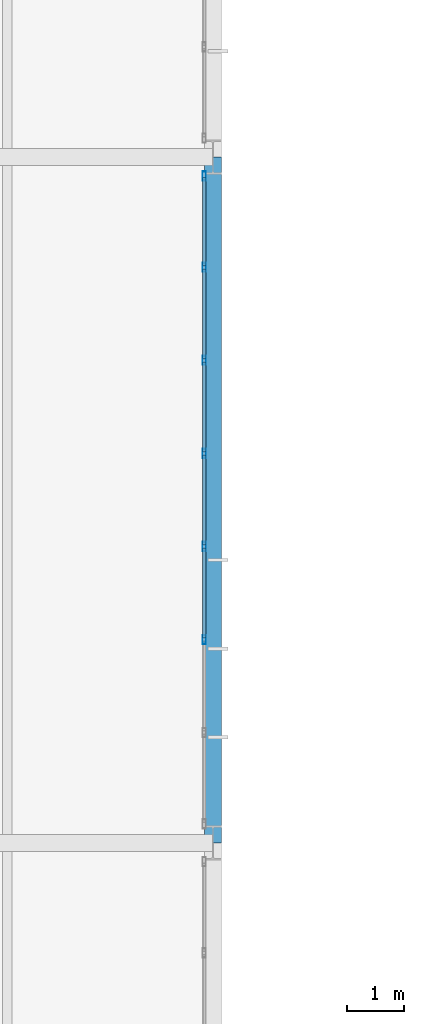
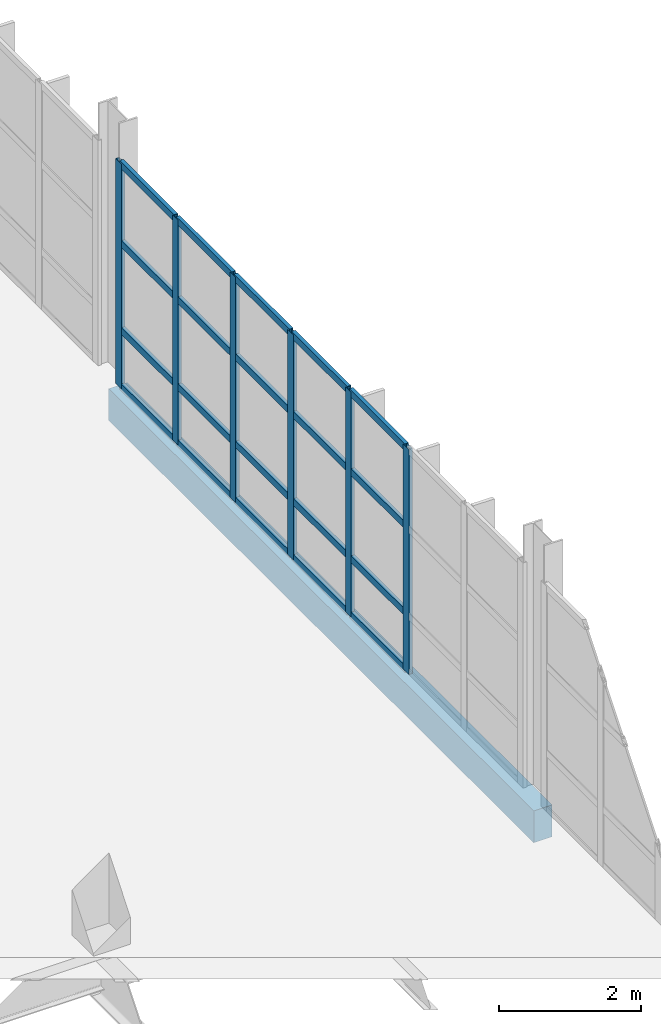
# One storey, part 96 of 130: 26 members, 1 beam, 1 element without a shape of its own.
"""IFC4 building model written with IfcOpenShell, lengths in metres."""

from ifc_helpers import new_model, si_unit, direction, frame, origin, origin_2d, place, context, subcontext, project, spatial, rectangle, hollow_rectangle, extrude, material, material_profile, profile_set, type_object, element, aggregate, save


model = new_model("IFC4")

# Units and contexts
model_context = context("Model", 3, precision=1e-05, world=origin(), true_north=direction((0.0, 1.0)))
body_context = subcontext(model_context, "Body", "Model", "MODEL_VIEW")
ifc_project = project(units=[si_unit("LENGTHUNIT", "METRE"), si_unit("AREAUNIT", "SQUARE_METRE"), si_unit("VOLUMEUNIT", "CUBIC_METRE"), si_unit("PLANEANGLEUNIT", "RADIAN"), si_unit("MASSUNIT", "GRAM", prefix="KILO")], contexts=[model_context])

# Site, building, storey
site_placement = place(None, origin())
site = spatial("IfcSite", under=ifc_project, at=site_placement, CompositionType="ELEMENT")
building_placement = place(site_placement, origin())
building = spatial("IfcBuilding", under=site, at=building_placement, Name="Veltarok Museum of Natural Sciences", CompositionType="ELEMENT")
storey_placement = place(building_placement, frame((0.0, 0.0, 12.89990234375)))
storey = spatial("IfcBuildingStorey", under=building, at=storey_placement, Name="L02", CompositionType="ELEMENT", Elevation=12.89990234375)

# Curtain wall, members
ifc_material_1 = material(Name="Low-iron triple insulated glass", Category="glass")
curtain_wall_type = type_object("IfcCurtainWallType", Name="Curtain Wall System CW-V5E-L02-F-1140x388 (V5 East Lab L02 F-G 1140x388cm)", PredefinedType="NOTDEFINED", material=ifc_material_1)
curtain_wall_placement = place(storey_placement, origin())
curtain_wall = element("IfcCurtainWall", 1, at=curtain_wall_placement, inside=storey, type_object=curtain_wall_type, Name="Curtain Wall CW-V5E-L02-F-1140x388 CW-0113", PredefinedType="NOTDEFINED")
ifc_material_2 = material(Name="Thermally broken anodised aluminium", Category="aluminium")
ifc_material_profile_1 = material_profile(ifc_material_2, hollow_rectangle(XDim=0.06005859375, YDim=0.1201171875, WallThickness=0.0048828125, at=origin_2d()), Name="CW TRANSOM 60x120x5")
ifc_profile_set_1 = profile_set([ifc_material_profile_1], Name="Thermally broken anodised aluminium")
member_type_1 = type_object("IfcMemberType", Name="Curtain Wall Horizontal Transom 60x120x5", PredefinedType="USERDEFINED", material=ifc_profile_set_1)
member_1_placement = place(storey_placement, frame((164.64990234375, 51.587158203125, 0.030029296875), z_axis=(0.0, 1.0, 0.0), x_axis=(-1.0, 0.0, 0.0)))
member_1 = element("IfcMember", 2, at=member_1_placement, type_object=member_type_1, Name="CW-V5E-L02-F-1140x388 transom 3.1", ObjectType="TRANSOM", PredefinedType="USERDEFINED", context=body_context, shape_type="SweptSolid", body=[
    extrude(hollow_rectangle(XDim=0.06005859375, YDim=0.1201171875, WallThickness=0.0048828125, at=origin_2d()), origin(), (0.0, 0.0, 1.0), 1.568603515625),
])
member_2_placement = place(storey_placement, frame((164.64990234375, 51.587158203125, 1.0), z_axis=(0.0, 1.0, 0.0), x_axis=(-1.0, 0.0, 0.0)))
member_2 = element("IfcMember", 3, at=member_2_placement, type_object=member_type_1, Name="CW-V5E-L02-F-1140x388 transom 3.2", ObjectType="TRANSOM", PredefinedType="USERDEFINED", context=body_context, shape_type="SweptSolid", body=[
    extrude(hollow_rectangle(XDim=0.06005859375, YDim=0.1201171875, WallThickness=0.0048828125, at=origin_2d()), origin(), (0.0, 0.0, 1.0), 1.568603515625),
])
member_3_placement = place(storey_placement, frame((164.64990234375, 51.587158203125, 2.5), z_axis=(0.0, 1.0, 0.0), x_axis=(-1.0, 0.0, 0.0)))
member_3 = element("IfcMember", 4, at=member_3_placement, type_object=member_type_1, Name="CW-V5E-L02-F-1140x388 transom 3.3", ObjectType="TRANSOM", PredefinedType="USERDEFINED", context=body_context, shape_type="SweptSolid", body=[
    extrude(hollow_rectangle(XDim=0.06005859375, YDim=0.1201171875, WallThickness=0.0048828125, at=origin_2d()), origin(), (0.0, 0.0, 1.0), 1.568603515625),
])
member_4_placement = place(storey_placement, frame((164.64990234375, 51.587158203125, 3.85009765625), z_axis=(0.0, 1.0, 0.0), x_axis=(-1.0, 0.0, 0.0)))
member_4 = element("IfcMember", 5, at=member_4_placement, type_object=member_type_1, Name="CW-V5E-L02-F-1140x388 transom 3.4", ObjectType="TRANSOM", PredefinedType="USERDEFINED", context=body_context, shape_type="SweptSolid", body=[
    extrude(hollow_rectangle(XDim=0.06005859375, YDim=0.1201171875, WallThickness=0.0048828125, at=origin_2d()), origin(), (0.0, 0.0, 1.0), 1.568603515625),
])
member_5_placement = place(storey_placement, frame((164.64990234375, 53.2158203125, 0.030029296875), z_axis=(0.0, 1.0, 0.0), x_axis=(-1.0, 0.0, 0.0)))
member_5 = element("IfcMember", 6, at=member_5_placement, type_object=member_type_1, Name="CW-V5E-L02-F-1140x388 transom 4.1", ObjectType="TRANSOM", PredefinedType="USERDEFINED", context=body_context, shape_type="SweptSolid", body=[
    extrude(hollow_rectangle(XDim=0.06005859375, YDim=0.1201171875, WallThickness=0.0048828125, at=origin_2d()), origin(), (0.0, 0.0, 1.0), 1.568359375),
])
member_6_placement = place(storey_placement, frame((164.64990234375, 53.2158203125, 1.0), z_axis=(0.0, 1.0, 0.0), x_axis=(-1.0, 0.0, 0.0)))
member_6 = element("IfcMember", 7, at=member_6_placement, type_object=member_type_1, Name="CW-V5E-L02-F-1140x388 transom 4.2", ObjectType="TRANSOM", PredefinedType="USERDEFINED", context=body_context, shape_type="SweptSolid", body=[
    extrude(hollow_rectangle(XDim=0.06005859375, YDim=0.1201171875, WallThickness=0.0048828125, at=origin_2d()), origin(), (0.0, 0.0, 1.0), 1.568359375),
])
member_7_placement = place(storey_placement, frame((164.64990234375, 53.2158203125, 2.5), z_axis=(0.0, 1.0, 0.0), x_axis=(-1.0, 0.0, 0.0)))
member_7 = element("IfcMember", 8, at=member_7_placement, type_object=member_type_1, Name="CW-V5E-L02-F-1140x388 transom 4.3", ObjectType="TRANSOM", PredefinedType="USERDEFINED", context=body_context, shape_type="SweptSolid", body=[
    extrude(hollow_rectangle(XDim=0.06005859375, YDim=0.1201171875, WallThickness=0.0048828125, at=origin_2d()), origin(), (0.0, 0.0, 1.0), 1.568359375),
])
member_8_placement = place(storey_placement, frame((164.64990234375, 53.2158203125, 3.85009765625), z_axis=(0.0, 1.0, 0.0), x_axis=(-1.0, 0.0, 0.0)))
member_8 = element("IfcMember", 9, at=member_8_placement, type_object=member_type_1, Name="CW-V5E-L02-F-1140x388 transom 4.4", ObjectType="TRANSOM", PredefinedType="USERDEFINED", context=body_context, shape_type="SweptSolid", body=[
    extrude(hollow_rectangle(XDim=0.06005859375, YDim=0.1201171875, WallThickness=0.0048828125, at=origin_2d()), origin(), (0.0, 0.0, 1.0), 1.568359375),
])
member_9_placement = place(storey_placement, frame((164.64990234375, 54.84423828125, 0.030029296875), z_axis=(0.0, 1.0, 0.0), x_axis=(-1.0, 0.0, 0.0)))
member_9 = element("IfcMember", 10, at=member_9_placement, type_object=member_type_1, Name="CW-V5E-L02-F-1140x388 transom 5.1", ObjectType="TRANSOM", PredefinedType="USERDEFINED", context=body_context, shape_type="SweptSolid", body=[
    extrude(hollow_rectangle(XDim=0.06005859375, YDim=0.1201171875, WallThickness=0.0048828125, at=origin_2d()), origin(), (0.0, 0.0, 1.0), 1.568603515625),
])
member_10_placement = place(storey_placement, frame((164.64990234375, 54.84423828125, 1.0), z_axis=(0.0, 1.0, 0.0), x_axis=(-1.0, 0.0, 0.0)))
member_10 = element("IfcMember", 11, at=member_10_placement, type_object=member_type_1, Name="CW-V5E-L02-F-1140x388 transom 5.2", ObjectType="TRANSOM", PredefinedType="USERDEFINED", context=body_context, shape_type="SweptSolid", body=[
    extrude(hollow_rectangle(XDim=0.06005859375, YDim=0.1201171875, WallThickness=0.0048828125, at=origin_2d()), origin(), (0.0, 0.0, 1.0), 1.568603515625),
])
member_11_placement = place(storey_placement, frame((164.64990234375, 54.84423828125, 2.5), z_axis=(0.0, 1.0, 0.0), x_axis=(-1.0, 0.0, 0.0)))
member_11 = element("IfcMember", 12, at=member_11_placement, type_object=member_type_1, Name="CW-V5E-L02-F-1140x388 transom 5.3", ObjectType="TRANSOM", PredefinedType="USERDEFINED", context=body_context, shape_type="SweptSolid", body=[
    extrude(hollow_rectangle(XDim=0.06005859375, YDim=0.1201171875, WallThickness=0.0048828125, at=origin_2d()), origin(), (0.0, 0.0, 1.0), 1.568603515625),
])
member_12_placement = place(storey_placement, frame((164.64990234375, 54.84423828125, 3.85009765625), z_axis=(0.0, 1.0, 0.0), x_axis=(-1.0, 0.0, 0.0)))
member_12 = element("IfcMember", 13, at=member_12_placement, type_object=member_type_1, Name="CW-V5E-L02-F-1140x388 transom 5.4", ObjectType="TRANSOM", PredefinedType="USERDEFINED", context=body_context, shape_type="SweptSolid", body=[
    extrude(hollow_rectangle(XDim=0.06005859375, YDim=0.1201171875, WallThickness=0.0048828125, at=origin_2d()), origin(), (0.0, 0.0, 1.0), 1.568603515625),
])
member_13_placement = place(storey_placement, frame((164.64990234375, 56.472900390625, 0.030029296875), z_axis=(0.0, 1.0, 0.0), x_axis=(-1.0, 0.0, 0.0)))
member_13 = element("IfcMember", 14, at=member_13_placement, type_object=member_type_1, Name="CW-V5E-L02-F-1140x388 transom 6.1", ObjectType="TRANSOM", PredefinedType="USERDEFINED", context=body_context, shape_type="SweptSolid", body=[
    extrude(hollow_rectangle(XDim=0.06005859375, YDim=0.1201171875, WallThickness=0.0048828125, at=origin_2d()), origin(), (0.0, 0.0, 1.0), 1.568603515625),
])
member_14_placement = place(storey_placement, frame((164.64990234375, 56.472900390625, 1.0), z_axis=(0.0, 1.0, 0.0), x_axis=(-1.0, 0.0, 0.0)))
member_14 = element("IfcMember", 15, at=member_14_placement, type_object=member_type_1, Name="CW-V5E-L02-F-1140x388 transom 6.2", ObjectType="TRANSOM", PredefinedType="USERDEFINED", context=body_context, shape_type="SweptSolid", body=[
    extrude(hollow_rectangle(XDim=0.06005859375, YDim=0.1201171875, WallThickness=0.0048828125, at=origin_2d()), origin(), (0.0, 0.0, 1.0), 1.568603515625),
])
member_15_placement = place(storey_placement, frame((164.64990234375, 56.472900390625, 2.5), z_axis=(0.0, 1.0, 0.0), x_axis=(-1.0, 0.0, 0.0)))
member_15 = element("IfcMember", 16, at=member_15_placement, type_object=member_type_1, Name="CW-V5E-L02-F-1140x388 transom 6.3", ObjectType="TRANSOM", PredefinedType="USERDEFINED", context=body_context, shape_type="SweptSolid", body=[
    extrude(hollow_rectangle(XDim=0.06005859375, YDim=0.1201171875, WallThickness=0.0048828125, at=origin_2d()), origin(), (0.0, 0.0, 1.0), 1.568603515625),
])
member_16_placement = place(storey_placement, frame((164.64990234375, 56.472900390625, 3.85009765625), z_axis=(0.0, 1.0, 0.0), x_axis=(-1.0, 0.0, 0.0)))
member_16 = element("IfcMember", 17, at=member_16_placement, type_object=member_type_1, Name="CW-V5E-L02-F-1140x388 transom 6.4", ObjectType="TRANSOM", PredefinedType="USERDEFINED", context=body_context, shape_type="SweptSolid", body=[
    extrude(hollow_rectangle(XDim=0.06005859375, YDim=0.1201171875, WallThickness=0.0048828125, at=origin_2d()), origin(), (0.0, 0.0, 1.0), 1.568603515625),
])
member_17_placement = place(storey_placement, frame((164.64990234375, 58.101318359375, 0.030029296875), z_axis=(0.0, 1.0, 0.0), x_axis=(-1.0, 0.0, 0.0)))
member_17 = element("IfcMember", 18, at=member_17_placement, type_object=member_type_1, Name="CW-V5E-L02-F-1140x388 transom 7.1", ObjectType="TRANSOM", PredefinedType="USERDEFINED", context=body_context, shape_type="SweptSolid", body=[
    extrude(hollow_rectangle(XDim=0.06005859375, YDim=0.1201171875, WallThickness=0.0048828125, at=origin_2d()), origin(), (0.0, 0.0, 1.0), 1.53857421875),
])
member_18_placement = place(storey_placement, frame((164.64990234375, 58.101318359375, 1.0), z_axis=(0.0, 1.0, 0.0), x_axis=(-1.0, 0.0, 0.0)))
member_18 = element("IfcMember", 19, at=member_18_placement, type_object=member_type_1, Name="CW-V5E-L02-F-1140x388 transom 7.2", ObjectType="TRANSOM", PredefinedType="USERDEFINED", context=body_context, shape_type="SweptSolid", body=[
    extrude(hollow_rectangle(XDim=0.06005859375, YDim=0.1201171875, WallThickness=0.0048828125, at=origin_2d()), origin(), (0.0, 0.0, 1.0), 1.53857421875),
])
member_19_placement = place(storey_placement, frame((164.64990234375, 58.101318359375, 2.5), z_axis=(0.0, 1.0, 0.0), x_axis=(-1.0, 0.0, 0.0)))
member_19 = element("IfcMember", 20, at=member_19_placement, type_object=member_type_1, Name="CW-V5E-L02-F-1140x388 transom 7.3", ObjectType="TRANSOM", PredefinedType="USERDEFINED", context=body_context, shape_type="SweptSolid", body=[
    extrude(hollow_rectangle(XDim=0.06005859375, YDim=0.1201171875, WallThickness=0.0048828125, at=origin_2d()), origin(), (0.0, 0.0, 1.0), 1.53857421875),
])
member_20_placement = place(storey_placement, frame((164.64990234375, 58.101318359375, 3.85009765625), z_axis=(0.0, 1.0, 0.0), x_axis=(-1.0, 0.0, 0.0)))
member_20 = element("IfcMember", 21, at=member_20_placement, type_object=member_type_1, Name="CW-V5E-L02-F-1140x388 transom 7.4", ObjectType="TRANSOM", PredefinedType="USERDEFINED", context=body_context, shape_type="SweptSolid", body=[
    extrude(hollow_rectangle(XDim=0.06005859375, YDim=0.1201171875, WallThickness=0.0048828125, at=origin_2d()), origin(), (0.0, 0.0, 1.0), 1.53857421875),
])
ifc_material_profile_2 = material_profile(ifc_material_2, hollow_rectangle(XDim=0.06005859375, YDim=0.159912109375, WallThickness=0.0048828125, at=origin_2d()), Name="CW MULLION 60x160x5")
ifc_profile_set_2 = profile_set([ifc_material_profile_2], Name="Thermally broken anodised aluminium")
member_type_2 = type_object("IfcMemberType", Name="Curtain Wall Vertical Mullion 60x160x5", PredefinedType="MULLION", material=ifc_profile_set_2)
member_21_placement = place(storey_placement, frame((164.64990234375, 51.55712890625, 0.0), z_axis=(0.0, 0.0, 1.0), x_axis=(-1.0, 0.0, 0.0)))
member_21 = element("IfcMember", 22, at=member_21_placement, type_object=member_type_2, Name="CW-V5E-L02-F-1140x388 mullion 3", PredefinedType="MULLION", context=body_context, shape_type="SweptSolid", body=[
    extrude(hollow_rectangle(XDim=0.06005859375, YDim=0.159912109375, WallThickness=0.0048828125, at=origin_2d()), origin(), (0.0, 0.0, 1.0), 3.880126953125),
])
member_22_placement = place(storey_placement, frame((164.64990234375, 53.185791015625, 0.0), z_axis=(0.0, 0.0, 1.0), x_axis=(-1.0, 0.0, 0.0)))
member_22 = element("IfcMember", 23, at=member_22_placement, type_object=member_type_2, Name="CW-V5E-L02-F-1140x388 mullion 4", PredefinedType="MULLION", context=body_context, shape_type="SweptSolid", body=[
    extrude(hollow_rectangle(XDim=0.06005859375, YDim=0.159912109375, WallThickness=0.0048828125, at=origin_2d()), origin(), (0.0, 0.0, 1.0), 3.880126953125),
])
member_23_placement = place(storey_placement, frame((164.64990234375, 54.814208984375, 0.0), z_axis=(0.0, 0.0, 1.0), x_axis=(-1.0, 0.0, 0.0)))
member_23 = element("IfcMember", 24, at=member_23_placement, type_object=member_type_2, Name="CW-V5E-L02-F-1140x388 mullion 5", PredefinedType="MULLION", context=body_context, shape_type="SweptSolid", body=[
    extrude(hollow_rectangle(XDim=0.06005859375, YDim=0.159912109375, WallThickness=0.0048828125, at=origin_2d()), origin(), (0.0, 0.0, 1.0), 3.880126953125),
])
member_24_placement = place(storey_placement, frame((164.64990234375, 56.44287109375, 0.0), z_axis=(0.0, 0.0, 1.0), x_axis=(-1.0, 0.0, 0.0)))
member_24 = element("IfcMember", 25, at=member_24_placement, type_object=member_type_2, Name="CW-V5E-L02-F-1140x388 mullion 6", PredefinedType="MULLION", context=body_context, shape_type="SweptSolid", body=[
    extrude(hollow_rectangle(XDim=0.06005859375, YDim=0.159912109375, WallThickness=0.0048828125, at=origin_2d()), origin(), (0.0, 0.0, 1.0), 3.880126953125),
])
member_25_placement = place(storey_placement, frame((164.64990234375, 58.071533203125, 0.0), z_axis=(0.0, 0.0, 1.0), x_axis=(-1.0, 0.0, 0.0)))
member_25 = element("IfcMember", 26, at=member_25_placement, type_object=member_type_2, Name="CW-V5E-L02-F-1140x388 mullion 7", PredefinedType="MULLION", context=body_context, shape_type="SweptSolid", body=[
    extrude(hollow_rectangle(XDim=0.06005859375, YDim=0.159912109375, WallThickness=0.0048828125, at=origin_2d()), origin(), (0.0, 0.0, 1.0), 3.880126953125),
])
member_26_placement = place(storey_placement, frame((164.64990234375, 59.669921875, 0.0), z_axis=(0.0, 0.0, 1.0), x_axis=(-1.0, 0.0, 0.0)))
member_26 = element("IfcMember", 27, at=member_26_placement, type_object=member_type_2, Name="CW-V5E-L02-F-1140x388 mullion 8", PredefinedType="MULLION", context=body_context, shape_type="SweptSolid", body=[
    extrude(hollow_rectangle(XDim=0.06005859375, YDim=0.159912109375, WallThickness=0.0048828125, at=origin_2d()), origin(), (0.0, 0.0, 1.0), 3.880126953125),
])
aggregate(curtain_wall, [member_21, member_22, member_23, member_24, member_25, member_26, member_1, member_2, member_3, member_4, member_5, member_6, member_7, member_8, member_9, member_10, member_11, member_12, member_13, member_14, member_15, member_16, member_17, member_18, member_19, member_20])

# Beam
ifc_material_3 = material(Name="Precast concrete C40/50", Category="concrete")
ifc_material_profile_3 = material_profile(ifc_material_3, rectangle(XDim=0.300048828125, YDim=0.550048828125, at=origin_2d()), Name="RC 300x550")
ifc_profile_set_3 = profile_set([ifc_material_profile_3], Name="Precast concrete C40/50")
beam_type = type_object("IfcBeamType", Name="East Wing Precast Spandrel RC 300x550", PredefinedType="SPANDREL", material=ifc_profile_set_3)
beam_placement = place(storey_placement, frame((164.800048828125, 48.0, -0.52490234375), z_axis=(0.0, 1.0, 0.0), x_axis=(-1.0, 0.0, 0.0)))
element("IfcBeam", 28, at=beam_placement, inside=storey, type_object=beam_type, Name="Beam BM-SP02 L02 20/F-G", PredefinedType="SPANDREL", context=body_context, shape_type="SweptSolid", body=[
    extrude(rectangle(XDim=0.300048828125, YDim=0.550048828125, at=origin_2d()), origin(), (0.0, 0.0, 1.0), 12.0),
])

save(model, "model.ifc")
